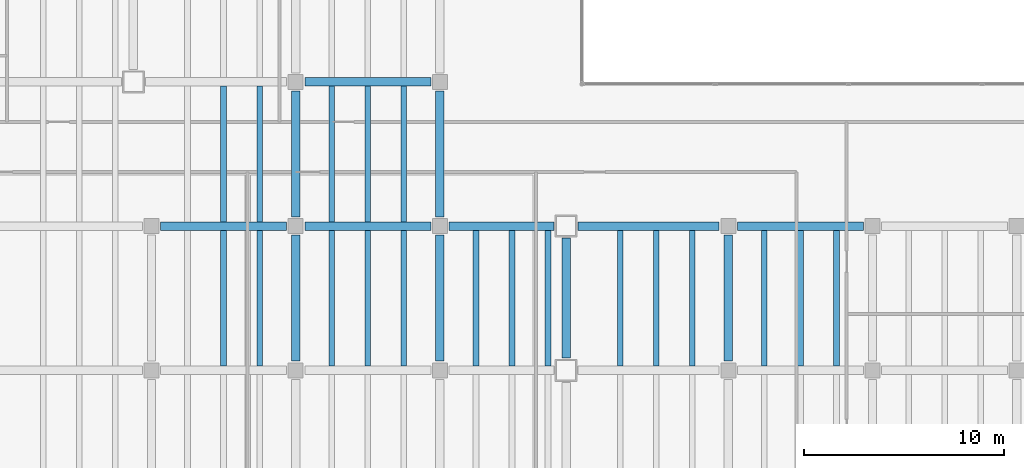
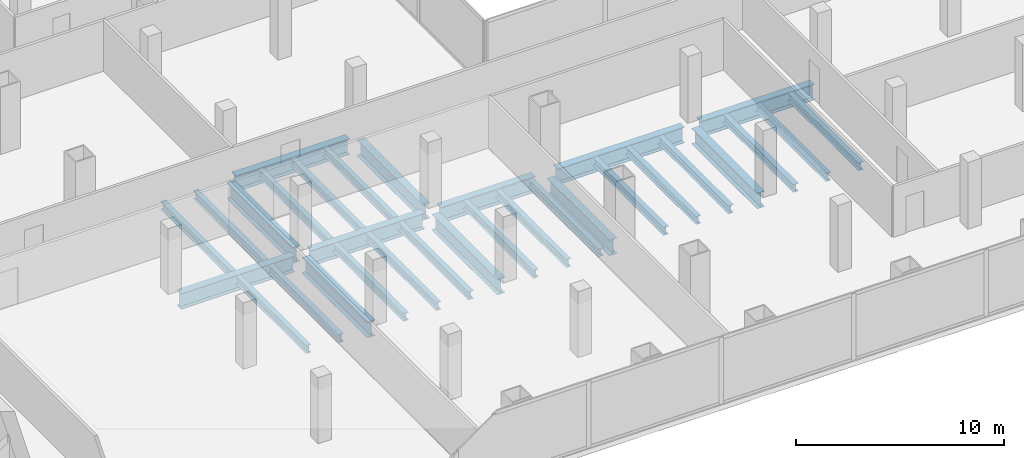
# One storey, part 8 of 28: 31 beams.
"""IFC4 building model written with IfcOpenShell, lengths in metres."""

from ifc_helpers import new_model, si_unit, direction, frame, origin, origin_2d, place, context, subcontext, project, spatial, i_section, extrude, material, material_profile, profile_set, type_object, element, save


model = new_model("IFC4")

# Units and contexts
model_context = context("Model", 3, precision=1e-05, world=origin(), true_north=direction((0.0, 1.0)))
body_context = subcontext(model_context, "Body", "Model", "MODEL_VIEW")
ifc_project = project(units=[si_unit("LENGTHUNIT", "METRE"), si_unit("AREAUNIT", "SQUARE_METRE"), si_unit("VOLUMEUNIT", "CUBIC_METRE"), si_unit("PLANEANGLEUNIT", "RADIAN"), si_unit("MASSUNIT", "GRAM", prefix="KILO")], contexts=[model_context])

# Site, building, storey
site_placement = place(None, origin())
site = spatial("IfcSite", under=ifc_project, at=site_placement, CompositionType="ELEMENT")
building_placement = place(site_placement, origin())
building = spatial("IfcBuilding", under=site, at=building_placement, Name="Cobrela Telecom Tower", CompositionType="ELEMENT")
storey_placement = place(building_placement, frame((0.0, 0.0, 17.85009765625)))
storey = spatial("IfcBuildingStorey", under=building, at=storey_placement, Name="L04", CompositionType="ELEMENT", Elevation=17.85009765625)

# Beams
ifc_material = material(Name="Steel ASTM A992 Grade 50", Category="steel")
ifc_material_profile_1 = material_profile(ifc_material, i_section(OverallWidth=0.4189453125, OverallDepth=0.927001953125, WebThickness=0.019287109375, FlangeThickness=0.031982421875, FilletRadius=0.02392578125, at=origin_2d()), Name="W36X231")
ifc_profile_set_1 = profile_set([ifc_material_profile_1], Name="Steel ASTM A992 Grade 50")
beam_type_1 = type_object("IfcBeamType", Name="BM-GIRD-02", PredefinedType="USERDEFINED", material=ifc_profile_set_1)
for number, where, z_axis, x_axis, name in (
    (1, (29.2548828125, 21.60009765625, -0.753662109375), (1.0, 0.0, 0.0), (0.0, 1.0, 0.0), "L04 Primary Girder X30"),
    (2, (36.455078125, 21.60009765625, -0.753662109375), (1.0, 0.0, 0.0), (0.0, 1.0, 0.0), "L04 Primary Girder X31"),
):
    element("IfcBeam", number, at=place(storey_placement, frame(where, z_axis=z_axis, x_axis=x_axis)), inside=storey, type_object=beam_type_1, Name=name, ObjectType="GIRDER", PredefinedType="USERDEFINED", context=body_context, shape_type="SweptSolid", body=[
        extrude(i_section(OverallWidth=0.4189453125, OverallDepth=0.927001953125, WebThickness=0.019287109375, FlangeThickness=0.031982421875, FilletRadius=0.02392578125, at=origin_2d()), origin(), (0.0, 0.0, 1.0), 6.2900390625),
    ])
beam_1_placement = place(storey_placement, frame((43.655029296875, 21.60009765625, -0.753662109375), z_axis=(1.0, 0.0, 0.0), x_axis=(0.0, 1.0, 0.0)))
element("IfcBeam", 3, at=beam_1_placement, inside=storey, type_object=beam_type_1, Name="L04 Primary Girder X32", ObjectType="GIRDER", PredefinedType="USERDEFINED", context=body_context, shape_type="SweptSolid", body=[
    extrude(i_section(OverallWidth=0.4189453125, OverallDepth=0.927001953125, WebThickness=0.019287109375, FlangeThickness=0.031982421875, FilletRadius=0.02392578125, at=origin_2d()), origin(), (0.0, 0.0, 1.0), 5.239990234375),
])
beam_2_placement = place(storey_placement, frame((50.10498046875, 21.60009765625, -0.753662109375), z_axis=(1.0, 0.0, 0.0), x_axis=(0.0, 1.0, 0.0)))
element("IfcBeam", 4, at=beam_2_placement, inside=storey, type_object=beam_type_1, Name="L04 Primary Girder X33", ObjectType="GIRDER", PredefinedType="USERDEFINED", context=body_context, shape_type="SweptSolid", body=[
    extrude(i_section(OverallWidth=0.4189453125, OverallDepth=0.927001953125, WebThickness=0.019287109375, FlangeThickness=0.031982421875, FilletRadius=0.02392578125, at=origin_2d()), origin(), (0.0, 0.0, 1.0), 7.0400390625),
])
for number, where, z_axis, x_axis, name in (
    (5, (58.054931640625, 21.60009765625, -0.753662109375), (1.0, 0.0, 0.0), (0.0, 1.0, 0.0), "L04 Primary Girder X34"),
    (6, (36.455078125, 28.800048828125, -0.753662109375), (1.0, 0.0, 0.0), (0.0, 1.0, 0.0), "L04 Primary Girder X40"),
    (7, (36.0, 14.85498046875, -0.753662109375), (0.0, 1.0, 0.0), (-1.0, 0.0, 0.0), "L04 Primary Girder Y73"),
    (8, (36.0, 22.054931640625, -0.753662109375), (0.0, 1.0, 0.0), (-1.0, 0.0, 0.0), "L04 Primary Girder Y74"),
    (9, (43.199951171875, 14.85498046875, -0.753662109375), (0.0, 1.0, 0.0), (-1.0, 0.0, 0.0), "L04 Primary Girder Y80"),
    (10, (43.199951171875, 22.054931640625, -0.753662109375), (0.0, 1.0, 0.0), (-1.0, 0.0, 0.0), "L04 Primary Girder Y81"),
):
    element("IfcBeam", number, at=place(storey_placement, frame(where, z_axis=z_axis, x_axis=x_axis)), inside=storey, type_object=beam_type_1, Name=name, ObjectType="GIRDER", PredefinedType="USERDEFINED", context=body_context, shape_type="SweptSolid", body=[
        extrude(i_section(OverallWidth=0.4189453125, OverallDepth=0.927001953125, WebThickness=0.019287109375, FlangeThickness=0.031982421875, FilletRadius=0.02392578125, at=origin_2d()), origin(), (0.0, 0.0, 1.0), 6.2900390625),
    ])
beam_3_placement = place(storey_placement, frame((49.5, 15.0048828125, -0.753662109375), z_axis=(0.0, 1.0, 0.0), x_axis=(-1.0, 0.0, 0.0)))
element("IfcBeam", 11, at=beam_3_placement, inside=storey, type_object=beam_type_1, Name="L04 Primary Girder Y87", ObjectType="GIRDER", PredefinedType="USERDEFINED", context=body_context, shape_type="SweptSolid", body=[
    extrude(i_section(OverallWidth=0.4189453125, OverallDepth=0.927001953125, WebThickness=0.019287109375, FlangeThickness=0.031982421875, FilletRadius=0.02392578125, at=origin_2d()), origin(), (0.0, 0.0, 1.0), 5.990234375),
])
beam_4_placement = place(storey_placement, frame((57.60009765625, 14.85498046875, -0.753662109375), z_axis=(0.0, 1.0, 0.0), x_axis=(-1.0, 0.0, 0.0)))
element("IfcBeam", 12, at=beam_4_placement, inside=storey, type_object=beam_type_1, Name="L04 Primary Girder Y90", ObjectType="GIRDER", PredefinedType="USERDEFINED", context=body_context, shape_type="SweptSolid", body=[
    extrude(i_section(OverallWidth=0.4189453125, OverallDepth=0.927001953125, WebThickness=0.019287109375, FlangeThickness=0.031982421875, FilletRadius=0.02392578125, at=origin_2d()), origin(), (0.0, 0.0, 1.0), 6.2900390625),
])
ifc_material_profile_2 = material_profile(ifc_material, i_section(OverallWidth=0.281982421875, OverallDepth=0.467041015625, WebThickness=0.01220703125, FlangeThickness=0.01953125, FilletRadius=0.012939453125, at=origin_2d()), Name="W18X86")
ifc_profile_set_2 = profile_set([ifc_material_profile_2], Name="Steel ASTM A992 Grade 50")
beam_type_2 = type_object("IfcBeamType", Name="BM-JOIST-02", PredefinedType="JOIST", material=ifc_profile_set_2)
for number, where, z_axis, x_axis, name in (
    (13, (32.39990234375, 14.614501953125, -0.523681640625), (0.0, 1.0, 0.0), (-1.0, 0.0, 0.0), "L04 Secondary Composite Floor Beam J60"),
    (14, (32.39990234375, 21.814453125, -0.523681640625), (0.0, 1.0, 0.0), (-1.0, 0.0, 0.0), "L04 Secondary Composite Floor Beam J61"),
    (15, (34.199951171875, 14.614501953125, -0.523681640625), (0.0, 1.0, 0.0), (-1.0, 0.0, 0.0), "L04 Secondary Composite Floor Beam J65"),
    (16, (34.199951171875, 21.814453125, -0.523681640625), (0.0, 1.0, 0.0), (-1.0, 0.0, 0.0), "L04 Secondary Composite Floor Beam J66"),
    (17, (37.800048828125, 14.614501953125, -0.523681640625), (0.0, 1.0, 0.0), (-1.0, 0.0, 0.0), "L04 Secondary Composite Floor Beam J72"),
    (18, (37.800048828125, 21.814453125, -0.523681640625), (0.0, 1.0, 0.0), (-1.0, 0.0, 0.0), "L04 Secondary Composite Floor Beam J73"),
    (19, (39.60009765625, 14.614501953125, -0.523681640625), (0.0, 1.0, 0.0), (-1.0, 0.0, 0.0), "L04 Secondary Composite Floor Beam J79"),
    (20, (39.60009765625, 21.814453125, -0.523681640625), (0.0, 1.0, 0.0), (-1.0, 0.0, 0.0), "L04 Secondary Composite Floor Beam J80"),
    (21, (41.39990234375, 14.614501953125, -0.523681640625), (0.0, 1.0, 0.0), (-1.0, 0.0, 0.0), "L04 Secondary Composite Floor Beam J86"),
    (22, (41.39990234375, 21.814453125, -0.523681640625), (0.0, 1.0, 0.0), (-1.0, 0.0, 0.0), "L04 Secondary Composite Floor Beam J87"),
    (23, (45.0, 14.614501953125, -0.523681640625), (0.0, 1.0, 0.0), (-1.0, 0.0, 0.0), "L04 Secondary Composite Floor Beam J93"),
    (24, (46.800048828125, 14.614501953125, -0.523681640625), (0.0, 1.0, 0.0), (-1.0, 0.0, 0.0), "L04 Secondary Composite Floor Beam J96"),
    (25, (48.60009765625, 14.614501953125, -0.523681640625), (0.0, 1.0, 0.0), (-1.0, 0.0, 0.0), "L04 Secondary Composite Floor Beam J99"),
    (26, (52.199951171875, 14.614501953125, -0.523681640625), (0.0, 1.0, 0.0), (-1.0, 0.0, 0.0), "L04 Secondary Composite Floor Beam J102"),
    (27, (54.0, 14.614501953125, -0.523681640625), (0.0, 1.0, 0.0), (-1.0, 0.0, 0.0), "L04 Secondary Composite Floor Beam J105"),
    (28, (55.800048828125, 14.614501953125, -0.523681640625), (0.0, 1.0, 0.0), (-1.0, 0.0, 0.0), "L04 Secondary Composite Floor Beam J108"),
    (29, (59.39990234375, 14.614501953125, -0.523681640625), (0.0, 1.0, 0.0), (-1.0, 0.0, 0.0), "L04 Secondary Composite Floor Beam J111"),
    (30, (61.199951171875, 14.614501953125, -0.523681640625), (0.0, 1.0, 0.0), (-1.0, 0.0, 0.0), "L04 Secondary Composite Floor Beam J114"),
    (31, (63.0, 14.614501953125, -0.523681640625), (0.0, 1.0, 0.0), (-1.0, 0.0, 0.0), "L04 Secondary Composite Floor Beam J117"),
):
    element("IfcBeam", number, at=place(storey_placement, frame(where, z_axis=z_axis, x_axis=x_axis)), inside=storey, type_object=beam_type_2, Name=name, PredefinedType="JOIST", context=body_context, shape_type="SweptSolid", body=[
        extrude(i_section(OverallWidth=0.281982421875, OverallDepth=0.467041015625, WebThickness=0.01220703125, FlangeThickness=0.01953125, FilletRadius=0.012939453125, at=origin_2d()), origin(), (0.0, 0.0, 1.0), 6.77099609375),
    ])

save(model, "model.ifc")
